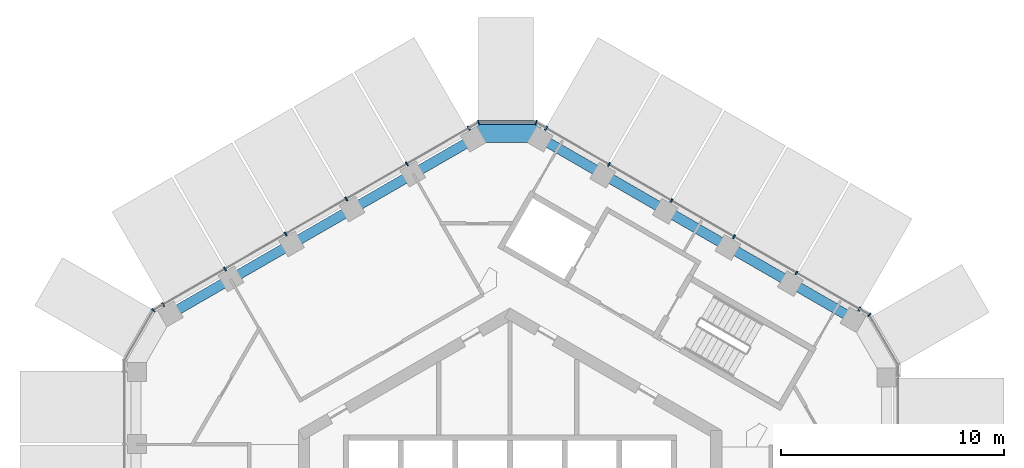
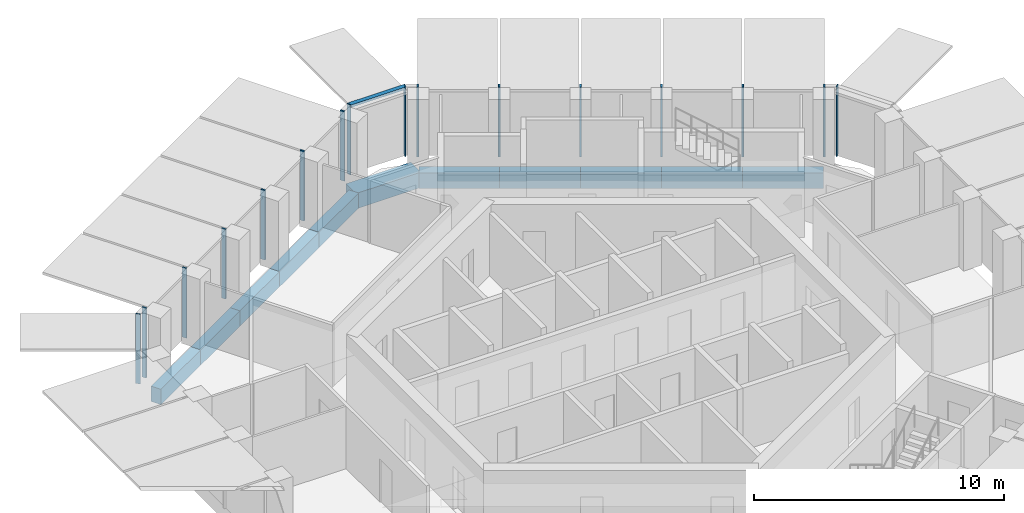
# One storey, part 5 of 17: 17 members, 11 beams, 5 elements without a shape of their own.
"""IFC4 building model written with IfcOpenShell, lengths in metres."""

from ifc_helpers import new_model, si_unit, direction, frame, origin, origin_2d, place, context, subcontext, project, spatial, rectangle, extrude, material, layer, layer_set, material_profile, profile_set, type_object, element, aggregate, save


model = new_model("IFC4")

# Units and contexts
model_context = context("Model", 3, precision=1e-05, world=origin(), true_north=direction((0.0, 1.0)))
body_context = subcontext(model_context, "Body", "Model", "MODEL_VIEW")
ifc_project = project(units=[si_unit("LENGTHUNIT", "METRE"), si_unit("AREAUNIT", "SQUARE_METRE"), si_unit("VOLUMEUNIT", "CUBIC_METRE"), si_unit("PLANEANGLEUNIT", "RADIAN"), si_unit("MASSUNIT", "GRAM", prefix="KILO")], contexts=[model_context])

# Site, building, storey
site_placement = place(None, origin())
site = spatial("IfcSite", under=ifc_project, at=site_placement, CompositionType="ELEMENT")
building_placement = place(site_placement, origin())
building = spatial("IfcBuilding", under=site, at=building_placement, Name="Ayvan Gate Tower", CompositionType="ELEMENT")
storey_placement = place(building_placement, frame((0.0, 0.0, 225.699951171875)))
storey = spatial("IfcBuildingStorey", under=building, at=storey_placement, Name="L60", CompositionType="ELEMENT", Elevation=225.699951171875)

# Beams
ifc_material_1 = material(Name="Concrete C40/50", Category="concrete")
ifc_material_profile_1 = material_profile(ifc_material_1, rectangle(XDim=0.800048828125, YDim=0.75, at=origin_2d()), Name="RC 800x750")
ifc_profile_set_1 = profile_set([ifc_material_profile_1], Name="Concrete C40/50")
beam_type_1 = type_object("IfcBeamType", Name="Corner spandrel beam RC 800x750 C40/50", PredefinedType="BEAM", material=ifc_profile_set_1)
beam_1_placement = place(storey_placement, frame((1.39404296875, 18.792724609375, -0.724853515625), z_axis=(-1.0, 0.0, 0.0), x_axis=(0.0, -1.0, 0.0)))
element("IfcBeam", 1, at=beam_1_placement, inside=storey, type_object=beam_type_1, Name="SB-L60-12", PredefinedType="BEAM", context=body_context, shape_type="SweptSolid", body=[
    extrude(rectangle(XDim=0.800048828125, YDim=0.75, at=origin_2d()), origin(), (0.0, 0.0, 1.0), 3.0),
])
ifc_material_profile_2 = material_profile(ifc_material_1, rectangle(XDim=0.449951171875, YDim=0.75, at=origin_2d()), Name="RC 450x750")
ifc_profile_set_2 = profile_set([ifc_material_profile_2], Name="Concrete C40/50")
beam_type_2 = type_object("IfcBeamType", Name="Spandrel beam RC 450x750 C40/50", PredefinedType="BEAM", material=ifc_profile_set_2)
beam_2_placement = place(storey_placement, frame((15.387451171875, 10.49365234375, -0.724853515625), z_axis=(-0.866030838723, 0.499990586292, 0.0), x_axis=(-0.499990586292, -0.866030838723, 0.0)))
element("IfcBeam", 2, at=beam_2_placement, inside=storey, type_object=beam_type_2, Name="SB-L60-7", PredefinedType="BEAM", context=body_context, shape_type="SweptSolid", body=[
    extrude(rectangle(XDim=0.449951171875, YDim=0.75, at=origin_2d()), origin(), (0.0, 0.0, 1.0), 3.2314453125),
])
beam_3_placement = place(storey_placement, frame((12.5888671875, 12.109375, -0.724853515625), z_axis=(-0.866017012889, 0.500014533175, 0.0), x_axis=(-0.500014533175, -0.866017012889, 0.0)))
element("IfcBeam", 3, at=beam_3_placement, inside=storey, type_object=beam_type_2, Name="SB-L60-8", PredefinedType="BEAM", context=body_context, shape_type="SweptSolid", body=[
    extrude(rectangle(XDim=0.449951171875, YDim=0.75, at=origin_2d()), origin(), (0.0, 0.0, 1.0), 3.23193359375),
])
beam_4_placement = place(storey_placement, frame((9.7900390625, 13.725341796875, -0.724853515625), z_axis=(-0.866030838723, 0.499990586292, 0.0), x_axis=(-0.499990586292, -0.866030838723, 0.0)))
element("IfcBeam", 4, at=beam_4_placement, inside=storey, type_object=beam_type_2, Name="SB-L60-9", PredefinedType="BEAM", context=body_context, shape_type="SweptSolid", body=[
    extrude(rectangle(XDim=0.449951171875, YDim=0.75, at=origin_2d()), origin(), (0.0, 0.0, 1.0), 3.2314453125),
])
beam_5_placement = place(storey_placement, frame((6.991455078125, 15.341064453125, -0.724853515625), z_axis=(-0.866017012889, 0.500014533175, 0.0), x_axis=(-0.500014533175, -0.866017012889, 0.0)))
element("IfcBeam", 5, at=beam_5_placement, inside=storey, type_object=beam_type_2, Name="SB-L60-10", PredefinedType="BEAM", context=body_context, shape_type="SweptSolid", body=[
    extrude(rectangle(XDim=0.449951171875, YDim=0.75, at=origin_2d()), origin(), (0.0, 0.0, 1.0), 3.23193359375),
])
beam_6_placement = place(storey_placement, frame((4.192626953125, 16.95703125, -0.724853515625), z_axis=(-0.866030838723, 0.499990586292, 0.0), x_axis=(-0.499990586292, -0.866030838723, 0.0)))
element("IfcBeam", 6, at=beam_6_placement, inside=storey, type_object=beam_type_2, Name="SB-L60-11", PredefinedType="BEAM", context=body_context, shape_type="SweptSolid", body=[
    extrude(rectangle(XDim=0.449951171875, YDim=0.75, at=origin_2d()), origin(), (0.0, 0.0, 1.0), 3.2314453125),
])
for number, where, z_axis, x_axis, name in (
    (7, (-1.60595703125, 18.57275390625, -0.724853515625), (-0.866027247007, -0.499996807431, 0.0), (0.499996807431, -0.866027247007, 0.0), "SB-L60-13"),
    (8, (-4.341064453125, 16.99365234375, -0.724853515625), (-0.866027247007, -0.499996807431, 0.0), (0.499996807431, -0.866027247007, 0.0), "SB-L60-14"),
    (9, (-7.076171875, 15.41455078125, -0.724853515625), (-0.866027247007, -0.499996807431, 0.0), (0.499996807431, -0.866027247007, 0.0), "SB-L60-15"),
    (10, (-9.811279296875, 13.83544921875, -0.724853515625), (-0.866027247007, -0.499996807431, 0.0), (0.499996807431, -0.866027247007, 0.0), "SB-L60-16"),
    (11, (-12.54638671875, 12.25634765625, -0.724853515625), (-0.866027247007, -0.499996807431, 0.0), (0.499996807431, -0.866027247007, 0.0), "SB-L60-17"),
):
    element("IfcBeam", number, at=place(storey_placement, frame(where, z_axis=z_axis, x_axis=x_axis)), inside=storey, type_object=beam_type_2, Name=name, PredefinedType="BEAM", context=body_context, shape_type="SweptSolid", body=[
        extrude(rectangle(XDim=0.449951171875, YDim=0.75, at=origin_2d()), origin(), (0.0, 0.0, 1.0), 3.158203125),
    ])

# Curtain wall, members
ifc_material_2 = material(Name="Bronze anodised aluminium", Category="aluminium")
ifc_layer_1 = layer(ifc_material_2, 0.199951171875)
ifc_layer_set_1 = layer_set([ifc_layer_1], Name="Bronze anodised aluminium")
curtain_wall_type_1 = type_object("IfcCurtainWallType", Name="Stick curtain wall CW-2", PredefinedType="NOTDEFINED", material=ifc_layer_set_1)
curtain_wall_1_placement = place(storey_placement, origin())
curtain_wall_1 = element("IfcCurtainWall", 12, at=curtain_wall_1_placement, inside=storey, type_object=curtain_wall_type_1, Name="Stick curtain wall CW-2 L60", PredefinedType="NOTDEFINED")
ifc_material_profile_3 = material_profile(ifc_material_2, rectangle(XDim=0.199951171875, YDim=0.070068359375, at=origin_2d()), Name="Stick curtain wall CW-2 mullion 200 x 70")
ifc_profile_set_3 = profile_set([ifc_material_profile_3], Name="Bronze anodised aluminium")
member_type_1 = type_object("IfcMemberType", Name="Stick curtain wall CW-2 mullion 200 x 70", PredefinedType="MULLION", material=ifc_profile_set_3)
member_1_placement = place(storey_placement, frame((-1.8515625, 19.037109375, 0.0), z_axis=(0.0, 0.0, 1.0), x_axis=(-0.5, 0.866025403784, 0.0)))
member_1 = element("IfcMember", 13, at=member_1_placement, type_object=member_type_1, Name="CW-2 mullion 1", PredefinedType="MULLION", context=body_context, shape_type="SweptSolid", body=[
    extrude(rectangle(XDim=0.199951171875, YDim=0.070068359375, at=origin_2d()), origin(), (0.0, 0.0, 1.0), 3.400146484375),
])
member_2_placement = place(storey_placement, frame((-4.62890625, 17.43359375, 0.0), z_axis=(0.0, 0.0, 1.0), x_axis=(-0.5, 0.866025403784, 0.0)))
member_2 = element("IfcMember", 14, at=member_2_placement, type_object=member_type_1, Name="CW-2 mullion 2", PredefinedType="MULLION", context=body_context, shape_type="SweptSolid", body=[
    extrude(rectangle(XDim=0.199951171875, YDim=0.070068359375, at=origin_2d()), origin(), (0.0, 0.0, 1.0), 3.400146484375),
])
member_3_placement = place(storey_placement, frame((-7.347412109375, 15.8642578125, 0.0), z_axis=(0.0, 0.0, 1.0), x_axis=(-0.5, 0.866025403784, 0.0)))
member_3 = element("IfcMember", 15, at=member_3_placement, type_object=member_type_1, Name="CW-2 mullion 3", PredefinedType="MULLION", context=body_context, shape_type="SweptSolid", body=[
    extrude(rectangle(XDim=0.199951171875, YDim=0.070068359375, at=origin_2d()), origin(), (0.0, 0.0, 1.0), 3.400146484375),
])
member_4_placement = place(storey_placement, frame((-10.06494140625, 14.295166015625, 0.0), z_axis=(0.0, 0.0, 1.0), x_axis=(-0.5, 0.866025403784, 0.0)))
member_4 = element("IfcMember", 16, at=member_4_placement, type_object=member_type_1, Name="CW-2 mullion 4", PredefinedType="MULLION", context=body_context, shape_type="SweptSolid", body=[
    extrude(rectangle(XDim=0.199951171875, YDim=0.070068359375, at=origin_2d()), origin(), (0.0, 0.0, 1.0), 3.400146484375),
])
member_5_placement = place(storey_placement, frame((-12.783447265625, 12.7255859375, 0.0), z_axis=(0.0, 0.0, 1.0), x_axis=(-0.5, 0.866025403784, 0.0)))
member_5 = element("IfcMember", 17, at=member_5_placement, type_object=member_type_1, Name="CW-2 mullion 5", PredefinedType="MULLION", context=body_context, shape_type="SweptSolid", body=[
    extrude(rectangle(XDim=0.199951171875, YDim=0.070068359375, at=origin_2d()), origin(), (0.0, 0.0, 1.0), 3.400146484375),
])
member_6_placement = place(storey_placement, frame((-15.560791015625, 11.1220703125, 0.0), z_axis=(0.0, 0.0, 1.0), x_axis=(-0.5, 0.866025403784, 0.0)))
member_6 = element("IfcMember", 18, at=member_6_placement, type_object=member_type_1, Name="CW-2 mullion 6", PredefinedType="MULLION", context=body_context, shape_type="SweptSolid", body=[
    extrude(rectangle(XDim=0.199951171875, YDim=0.070068359375, at=origin_2d()), origin(), (0.0, 0.0, 1.0), 3.400146484375),
])
aggregate(curtain_wall_1, [member_1, member_2, member_3, member_4, member_5, member_6])

curtain_wall_2_placement = place(storey_placement, origin())
curtain_wall_2 = element("IfcCurtainWall", 19, at=curtain_wall_2_placement, inside=storey, type_object=curtain_wall_type_1, Name="Stick curtain wall CW-2 L60", PredefinedType="NOTDEFINED")
member_7_placement = place(storey_placement, frame((15.679443359375, 10.91650390625, 0.0), z_axis=(0.0, 0.0, 1.0), x_axis=(0.5, 0.866025403784, 0.0)))
member_7 = element("IfcMember", 20, at=member_7_placement, type_object=member_type_1, Name="CW-2 mullion 1", PredefinedType="MULLION", context=body_context, shape_type="SweptSolid", body=[
    extrude(rectangle(XDim=0.199951171875, YDim=0.070068359375, at=origin_2d()), origin(), (0.0, 0.0, 1.0), 3.400146484375),
])
member_8_placement = place(storey_placement, frame((12.85791015625, 12.545654296875, 0.0), z_axis=(0.0, 0.0, 1.0), x_axis=(0.5, 0.866025403784, 0.0)))
member_8 = element("IfcMember", 21, at=member_8_placement, type_object=member_type_1, Name="CW-2 mullion 2", PredefinedType="MULLION", context=body_context, shape_type="SweptSolid", body=[
    extrude(rectangle(XDim=0.199951171875, YDim=0.070068359375, at=origin_2d()), origin(), (0.0, 0.0, 1.0), 3.400146484375),
])
member_9_placement = place(storey_placement, frame((10.05029296875, 14.16650390625, 0.0), z_axis=(0.0, 0.0, 1.0), x_axis=(0.5, 0.866025403784, 0.0)))
member_9 = element("IfcMember", 22, at=member_9_placement, type_object=member_type_1, Name="CW-2 mullion 3", PredefinedType="MULLION", context=body_context, shape_type="SweptSolid", body=[
    extrude(rectangle(XDim=0.199951171875, YDim=0.070068359375, at=origin_2d()), origin(), (0.0, 0.0, 1.0), 3.400146484375),
])
member_10_placement = place(storey_placement, frame((7.24365234375, 15.787109375, 0.0), z_axis=(0.0, 0.0, 1.0), x_axis=(0.5, 0.866025403784, 0.0)))
member_10 = element("IfcMember", 23, at=member_10_placement, type_object=member_type_1, Name="CW-2 mullion 4", PredefinedType="MULLION", context=body_context, shape_type="SweptSolid", body=[
    extrude(rectangle(XDim=0.199951171875, YDim=0.070068359375, at=origin_2d()), origin(), (0.0, 0.0, 1.0), 3.400146484375),
])
member_11_placement = place(storey_placement, frame((4.43603515625, 17.407958984375, 0.0), z_axis=(0.0, 0.0, 1.0), x_axis=(0.5, 0.866025403784, 0.0)))
member_11 = element("IfcMember", 24, at=member_11_placement, type_object=member_type_1, Name="CW-2 mullion 5", PredefinedType="MULLION", context=body_context, shape_type="SweptSolid", body=[
    extrude(rectangle(XDim=0.199951171875, YDim=0.070068359375, at=origin_2d()), origin(), (0.0, 0.0, 1.0), 3.400146484375),
])
member_12_placement = place(storey_placement, frame((1.6142578125, 19.037109375, 0.0), z_axis=(0.0, 0.0, 1.0), x_axis=(0.5, 0.866025403784, 0.0)))
member_12 = element("IfcMember", 25, at=member_12_placement, type_object=member_type_1, Name="CW-2 mullion 6", PredefinedType="MULLION", context=body_context, shape_type="SweptSolid", body=[
    extrude(rectangle(XDim=0.199951171875, YDim=0.070068359375, at=origin_2d()), origin(), (0.0, 0.0, 1.0), 3.400146484375),
])
aggregate(curtain_wall_2, [member_7, member_8, member_9, member_10, member_11, member_12])

# Curtain wall, member
ifc_layer_2 = layer(ifc_material_2, 0.199951171875)
ifc_layer_set_2 = layer_set([ifc_layer_2], Name="Bronze anodised aluminium")
curtain_wall_type_2 = type_object("IfcCurtainWallType", Name="Stick curtain wall CW-6", PredefinedType="NOTDEFINED", material=ifc_layer_set_2)
curtain_wall_3_placement = place(storey_placement, origin())
curtain_wall_3 = element("IfcCurtainWall", 26, at=curtain_wall_3_placement, inside=storey, type_object=curtain_wall_type_2, Name="Stick curtain wall CW-6 L60", PredefinedType="NOTDEFINED")
ifc_material_profile_4 = material_profile(ifc_material_2, rectangle(XDim=0.199951171875, YDim=0.050048828125, at=origin_2d()), Name="Stick curtain wall CW-6 mullion 200 x 50")
ifc_profile_set_4 = profile_set([ifc_material_profile_4], Name="Bronze anodised aluminium")
member_type_2 = type_object("IfcMemberType", Name="Stick curtain wall CW-6 mullion 200 x 50", PredefinedType="MULLION", material=ifc_profile_set_4)
member_13_placement = place(storey_placement, frame((-16.00244140625, 10.8671875, 0.0), z_axis=(0.0, 0.0, 1.0), x_axis=(-0.707106781187, 0.707106781187, 0.0)))
member_13 = element("IfcMember", 27, at=member_13_placement, type_object=member_type_2, Name="CW-6 mullion 2", PredefinedType="MULLION", context=body_context, shape_type="SweptSolid", body=[
    extrude(rectangle(XDim=0.199951171875, YDim=0.050048828125, at=origin_2d()), origin(), (0.0, 0.0, 1.0), 3.400146484375),
])
aggregate(curtain_wall_3, [member_13])

curtain_wall_4_placement = place(storey_placement, origin())
curtain_wall_4 = element("IfcCurtainWall", 28, at=curtain_wall_4_placement, inside=storey, type_object=curtain_wall_type_2, Name="Stick curtain wall CW-6 L60", PredefinedType="NOTDEFINED")
member_14_placement = place(storey_placement, frame((16.12109375, 10.66162109375, 0.0), z_axis=(0.0, 0.0, 1.0), x_axis=(0.707106781187, 0.707106781187, 0.0)))
member_14 = element("IfcMember", 29, at=member_14_placement, type_object=member_type_2, Name="CW-6 mullion 3", PredefinedType="MULLION", context=body_context, shape_type="SweptSolid", body=[
    extrude(rectangle(XDim=0.199951171875, YDim=0.050048828125, at=origin_2d()), origin(), (0.0, 0.0, 1.0), 3.400146484375),
])
aggregate(curtain_wall_4, [member_14])

# Curtain wall, members
curtain_wall_5_placement = place(storey_placement, origin())
curtain_wall_5 = element("IfcCurtainWall", 30, at=curtain_wall_5_placement, inside=storey, type_object=curtain_wall_type_2, Name="Stick curtain wall CW-6 L60", PredefinedType="NOTDEFINED")
member_15_placement = place(storey_placement, frame((1.172607421875, 19.292236328125, 0.0), z_axis=(0.0, 0.0, 1.0), x_axis=(0.258819045103, 0.965925826289, 0.0)))
member_15 = element("IfcMember", 31, at=member_15_placement, type_object=member_type_2, Name="CW-6 mullion 2", PredefinedType="MULLION", context=body_context, shape_type="SweptSolid", body=[
    extrude(rectangle(XDim=0.199951171875, YDim=0.050048828125, at=origin_2d()), origin(), (0.0, 0.0, 1.0), 3.400146484375),
])
member_16_placement = place(storey_placement, frame((-1.409912109375, 19.292236328125, 0.0), z_axis=(0.0, 0.0, 1.0), x_axis=(-0.258819045103, 0.965925826289, 0.0)))
member_16 = element("IfcMember", 32, at=member_16_placement, type_object=member_type_2, Name="CW-6 mullion 3", PredefinedType="MULLION", context=body_context, shape_type="SweptSolid", body=[
    extrude(rectangle(XDim=0.199951171875, YDim=0.050048828125, at=origin_2d()), origin(), (0.0, 0.0, 1.0), 3.400146484375),
])
ifc_material_profile_5 = material_profile(ifc_material_2, rectangle(XDim=0.199951171875, YDim=0.1201171875, at=origin_2d()), Name="Stick curtain wall CW-6 transom 200 x 120")
ifc_profile_set_5 = profile_set([ifc_material_profile_5], Name="Bronze anodised aluminium")
member_type_3 = type_object("IfcMemberType", Name="Stick curtain wall CW-6 transom 200 x 120", PredefinedType="USERDEFINED", material=ifc_profile_set_5)
member_17_placement = place(storey_placement, frame((1.147705078125, 19.292236328125, 3.340087890625), z_axis=(-1.0, 0.0, 0.0), x_axis=(0.0, -1.0, 0.0)))
member_17 = element("IfcMember", 33, at=member_17_placement, type_object=member_type_3, Name="CW-6 transom 2", ObjectType="TRANSOM", PredefinedType="USERDEFINED", context=body_context, shape_type="SweptSolid", body=[
    extrude(rectangle(XDim=0.199951171875, YDim=0.1201171875, at=origin_2d()), origin(), (0.0, 0.0, 1.0), 2.53271484375),
])
aggregate(curtain_wall_5, [member_15, member_16, member_17])

save(model, "model.ifc")
